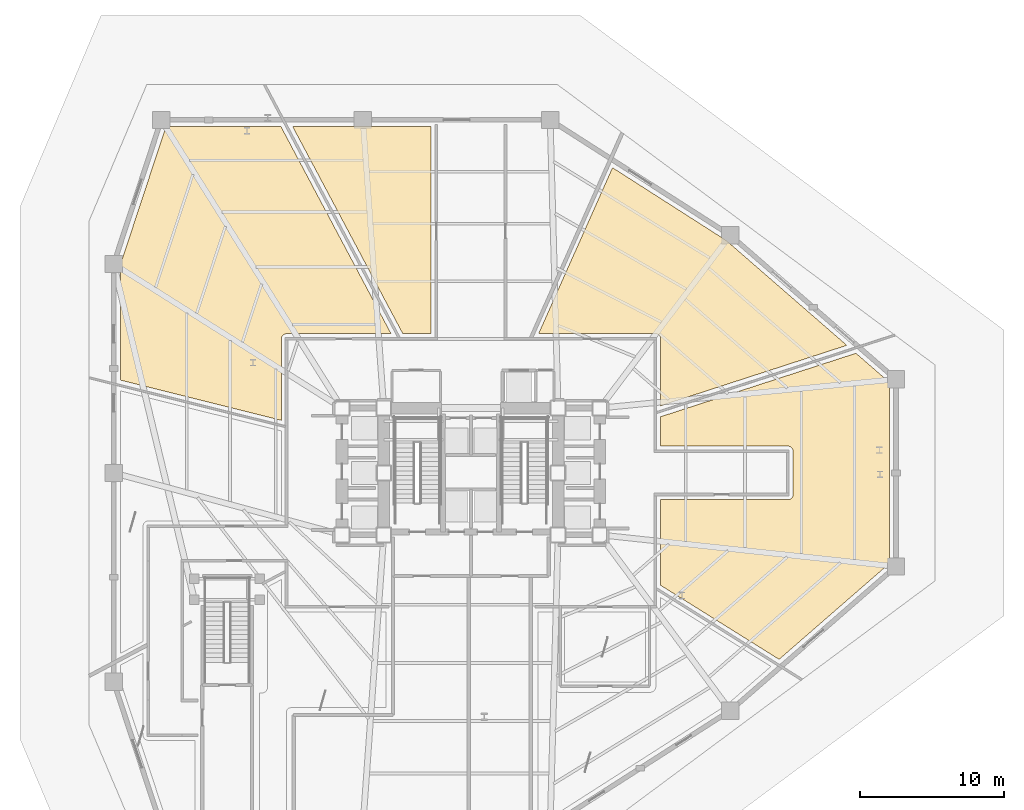
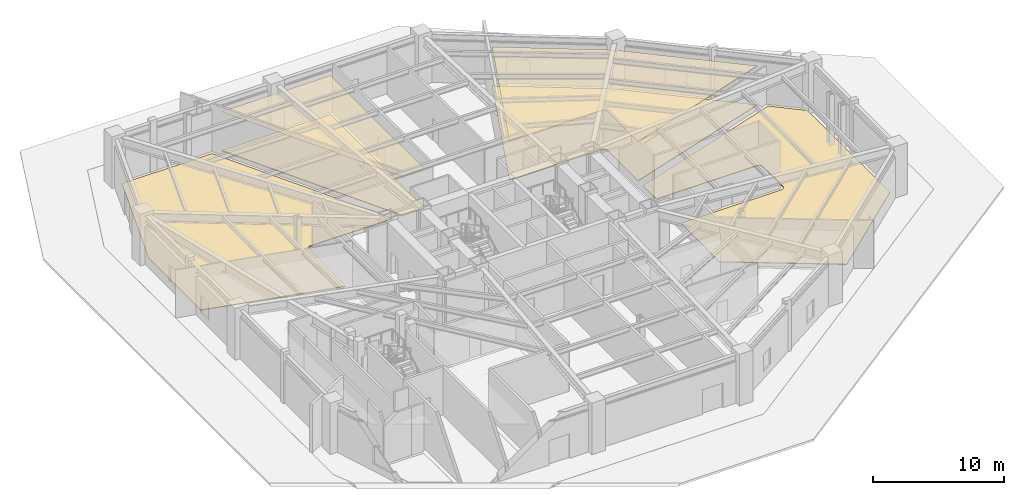
# One storey, part 9 of 10: 6 coverings.
"""IFC4 building model written with IfcOpenShell, lengths in metres."""

from ifc_helpers import new_model, si_unit, direction, frame, origin, place, context, subcontext, project, spatial, polyline, outline, extrude, material, layer, layer_set, type_object, element, save


model = new_model("IFC4")

# Units and contexts
model_context = context("Model", 3, precision=1e-05, world=origin(), true_north=direction((0.0, 1.0)))
body_context = subcontext(model_context, "Body", "Model", "MODEL_VIEW")
ifc_project = project(units=[si_unit("LENGTHUNIT", "METRE"), si_unit("AREAUNIT", "SQUARE_METRE"), si_unit("VOLUMEUNIT", "CUBIC_METRE"), si_unit("PLANEANGLEUNIT", "RADIAN"), si_unit("MASSUNIT", "GRAM", prefix="KILO")], contexts=[model_context])

# Site, building, storey
site_placement = place(None, origin())
site = spatial("IfcSite", under=ifc_project, at=site_placement, CompositionType="ELEMENT")
building_placement = place(site_placement, origin())
building = spatial("IfcBuilding", under=site, at=building_placement, Name="Rocaltana Carrier Exchange", CompositionType="ELEMENT")
storey_placement = place(building_placement, origin())
storey = spatial("IfcBuildingStorey", under=building, at=storey_placement, Name="L01", CompositionType="ELEMENT", Elevation=0.0)

# Coverings
ifc_material_1 = material(Name="Calcium Sulphate & Aluminium Pedestal", Category="aluminium")
ifc_layer_1 = layer(ifc_material_1, 0.06005859375)
ifc_layer_set_1 = layer_set([ifc_layer_1], Name="Calcium Sulphate & Aluminium Pedestal")
covering_type_1 = type_object("IfcCoveringType", Name="Anti-Static Raised Exchange Access Floor 60", PredefinedType="FLOORING", material=ifc_layer_set_1)
covering_1_placement = place(storey_placement, origin())
element("IfcCovering", 1, at=covering_1_placement, inside=storey, type_object=covering_type_1, Name="L01 Cloud Architecture Office Finish Floor", PredefinedType="FLOORING", context=body_context, shape_type="SweptSolid", body=[
    extrude(outline(polyline([(13.159912109375, -1.860107421875), (22.0, -1.860107421875), (22.013671875, -1.859619140625), (22.021484375, -1.859375), (22.048828125, -1.856689453125), (22.056640625, -1.85546875), (22.08349609375, -1.85009765625), (22.09130859375, -1.84814453125), (22.11767578125, -1.840087890625), (22.125, -1.83740234375), (22.150390625, -1.826904296875), (22.157470703125, -1.82373046875), (22.181640625, -1.810791015625), (22.1884765625, -1.806640625), (22.211181640625, -1.79150390625), (22.217529296875, -1.78662109375), (22.23876953125, -1.769287109375), (22.24462890625, -1.763916015625), (22.263916015625, -1.74462890625), (22.269287109375, -1.73876953125), (22.28662109375, -1.717529296875), (22.29150390625, -1.711181640625), (22.306640625, -1.6884765625), (22.310791015625, -1.681640625), (22.32373046875, -1.657470703125), (22.326904296875, -1.650390625), (22.33740234375, -1.625), (22.340087890625, -1.61767578125), (22.34814453125, -1.59130859375), (22.35009765625, -1.58349609375), (22.35546875, -1.556640625), (22.356689453125, -1.548828125), (22.359375, -1.521484375), (22.359619140625, -1.513671875), (22.360107421875, -1.5), (22.360107421875, 1.5), (22.359619140625, 1.513671875), (22.359375, 1.521484375), (22.356689453125, 1.548828125), (22.35546875, 1.556640625), (22.35009765625, 1.58349609375), (22.34814453125, 1.59130859375), (22.340087890625, 1.61767578125), (22.33740234375, 1.625), (22.326904296875, 1.650390625), (22.32373046875, 1.657470703125), (22.310791015625, 1.681640625), (22.306640625, 1.6884765625), (22.29150390625, 1.711181640625), (22.28662109375, 1.717529296875), (22.269287109375, 1.73876953125), (22.263916015625, 1.74462890625), (22.24462890625, 1.763916015625), (22.23876953125, 1.769287109375), (22.217529296875, 1.78662109375), (22.211181640625, 1.79150390625), (22.1884765625, 1.806640625), (22.181640625, 1.810791015625), (22.157470703125, 1.82373046875), (22.150390625, 1.826904296875), (22.125, 1.83740234375), (22.11767578125, 1.840087890625), (22.09130859375, 1.84814453125), (22.08349609375, 1.85009765625), (22.056640625, 1.85546875), (22.048828125, 1.856689453125), (22.021484375, 1.859375), (22.013671875, 1.859619140625), (22.0, 1.860107421875), (13.159912109375, 1.860107421875), (13.159912109375, 3.8974609375), (26.7236328125, 8.304443359375), (29.0400390625, 6.290283203125), (29.0400390625, -6.290283203125), (21.390869140625, -12.94189453125), (13.159912109375, -7.798828125), (13.159912109375, -1.860107421875)])), origin(), (0.0, 0.0, 1.0), 0.06005859375),
])
covering_2_placement = place(storey_placement, origin())
element("IfcCovering", 2, at=covering_2_placement, inside=storey, type_object=covering_type_1, Name="L01 Carrier Exchange Exhibition Hall Finish Floor", PredefinedType="FLOORING", context=body_context, shape_type="SweptSolid", body=[
    extrude(outline(polyline([(13.159912109375, 9.300048828125), (13.15966796875, 9.313720703125), (13.1591796875, 9.321533203125), (13.156494140625, 9.348876953125), (13.155517578125, 9.356689453125), (13.150146484375, 9.383544921875), (13.148193359375, 9.391357421875), (13.14013671875, 9.41748046875), (13.137451171875, 9.4248046875), (13.126953125, 9.4501953125), (13.123779296875, 9.45751953125), (13.110595703125, 9.481689453125), (13.106689453125, 9.48828125), (13.09130859375, 9.51123046875), (13.086669921875, 9.517578125), (13.0693359375, 9.538818359375), (13.06396484375, 9.544677734375), (13.044677734375, 9.56396484375), (13.038818359375, 9.5693359375), (13.017578125, 9.586669921875), (13.01123046875, 9.59130859375), (12.98828125, 9.606689453125), (12.981689453125, 9.610595703125), (12.95751953125, 9.623779296875), (12.9501953125, 9.626953125), (12.9248046875, 9.637451171875), (12.91748046875, 9.64013671875), (12.891357421875, 9.648193359375), (12.883544921875, 9.650146484375), (12.856689453125, 9.655517578125), (12.848876953125, 9.656494140625), (12.821533203125, 9.6591796875), (12.813720703125, 9.65966796875), (12.800048828125, 9.659912109375), (4.695068359375, 9.659912109375), (9.826416015625, 21.18505859375), (17.7236328125, 16.130615234375), (26.090087890625, 8.855712890625), (13.159912109375, 4.654541015625), (13.159912109375, 9.300048828125)])), origin(), (0.0, 0.0, 1.0), 0.06005859375),
])
covering_3_placement = place(storey_placement, origin())
element("IfcCovering", 3, at=covering_3_placement, inside=storey, type_object=covering_type_1, Name="L01 Data Exchange Hall Finish Floor", PredefinedType="FLOORING", context=body_context, shape_type="SweptSolid", body=[
    extrude(outline(polyline([(-4.728515625, 9.659912109375), (-12.37451171875, 24.0400390625), (-2.760009765625, 24.0400390625), (-2.760009765625, 9.659912109375), (-4.728515625, 9.659912109375)])), origin(), (0.0, 0.0, 1.0), 0.06005859375),
])
covering_4_placement = place(storey_placement, origin())
element("IfcCovering", 4, at=covering_4_placement, inside=storey, type_object=covering_type_1, Name="L01 Optical Switching Laboratory Finish Floor", PredefinedType="FLOORING", context=body_context, shape_type="SweptSolid", body=[
    extrude(outline(polyline([(-12.800048828125, 9.659912109375), (-12.813720703125, 9.65966796875), (-12.821533203125, 9.6591796875), (-12.848876953125, 9.656494140625), (-12.856689453125, 9.655517578125), (-12.883544921875, 9.650146484375), (-12.891357421875, 9.648193359375), (-12.91748046875, 9.64013671875), (-12.9248046875, 9.637451171875), (-12.9501953125, 9.626953125), (-12.95751953125, 9.623779296875), (-12.981689453125, 9.610595703125), (-12.98828125, 9.606689453125), (-13.01123046875, 9.59130859375), (-13.017578125, 9.586669921875), (-13.038818359375, 9.5693359375), (-13.044677734375, 9.56396484375), (-13.06396484375, 9.544677734375), (-13.0693359375, 9.538818359375), (-13.086669921875, 9.517578125), (-13.09130859375, 9.51123046875), (-13.106689453125, 9.48828125), (-13.110595703125, 9.481689453125), (-13.123779296875, 9.45751953125), (-13.126953125, 9.4501953125), (-13.137451171875, 9.4248046875), (-13.14013671875, 9.41748046875), (-13.148193359375, 9.391357421875), (-13.150146484375, 9.383544921875), (-13.155517578125, 9.356689453125), (-13.156494140625, 9.348876953125), (-13.1591796875, 9.321533203125), (-13.15966796875, 9.313720703125), (-13.159912109375, 9.300048828125), (-13.159912109375, 3.652099609375), (-24.340087890625, 6.439697265625), (-24.340087890625, 14.426025390625), (-21.16748046875, 24.0400390625), (-13.18994140625, 24.0400390625), (-5.5439453125, 9.659912109375), (-12.800048828125, 9.659912109375)])), origin(), (0.0, 0.0, 1.0), 0.06005859375),
])
ifc_material_2 = material(Name="Mineral Fibre & Powder-Coated Aluminium", Category="aluminium")
ifc_layer_2 = layer(ifc_material_2, 0.044921875)
ifc_layer_set_2 = layer_set([ifc_layer_2], Name="Mineral Fibre & Powder-Coated Aluminium")
covering_type_2 = type_object("IfcCoveringType", Name="Micro-Perforated Acoustic Ceiling 45", PredefinedType="CEILING", material=ifc_layer_set_2)
covering_5_placement = place(storey_placement, frame((0.0, 0.0, 3.64306640625)))
element("IfcCovering", 5, at=covering_5_placement, inside=storey, type_object=covering_type_2, Name="L01 Carrier Exchange Exhibition Hall Acoustic Ceiling", PredefinedType="CEILING", context=body_context, shape_type="SweptSolid", body=[
    extrude(outline(polyline([(13.159912109375, 9.300048828125), (13.15966796875, 9.313720703125), (13.1591796875, 9.321533203125), (13.156494140625, 9.348876953125), (13.155517578125, 9.356689453125), (13.150146484375, 9.383544921875), (13.148193359375, 9.391357421875), (13.14013671875, 9.41748046875), (13.137451171875, 9.4248046875), (13.126953125, 9.4501953125), (13.123779296875, 9.45751953125), (13.110595703125, 9.481689453125), (13.106689453125, 9.48828125), (13.09130859375, 9.51123046875), (13.086669921875, 9.517578125), (13.0693359375, 9.538818359375), (13.06396484375, 9.544677734375), (13.044677734375, 9.56396484375), (13.038818359375, 9.5693359375), (13.017578125, 9.586669921875), (13.01123046875, 9.59130859375), (12.98828125, 9.606689453125), (12.981689453125, 9.610595703125), (12.95751953125, 9.623779296875), (12.9501953125, 9.626953125), (12.9248046875, 9.637451171875), (12.91748046875, 9.64013671875), (12.891357421875, 9.648193359375), (12.883544921875, 9.650146484375), (12.856689453125, 9.655517578125), (12.848876953125, 9.656494140625), (12.821533203125, 9.6591796875), (12.813720703125, 9.65966796875), (12.800048828125, 9.659912109375), (4.695068359375, 9.659912109375), (9.826416015625, 21.18505859375), (17.7236328125, 16.130615234375), (26.090087890625, 8.855712890625), (13.159912109375, 4.654541015625), (13.159912109375, 9.300048828125)])), origin(), (0.0, 0.0, 1.0), 0.044921875),
])
covering_6_placement = place(storey_placement, frame((0.0, 0.0, 3.64306640625)))
element("IfcCovering", 6, at=covering_6_placement, inside=storey, type_object=covering_type_2, Name="L01 Data Exchange Hall Acoustic Ceiling", PredefinedType="CEILING", context=body_context, shape_type="SweptSolid", body=[
    extrude(outline(polyline([(-4.728515625, 9.659912109375), (-12.37451171875, 24.0400390625), (-2.760009765625, 24.0400390625), (-2.760009765625, 9.659912109375), (-4.728515625, 9.659912109375)])), origin(), (0.0, 0.0, 1.0), 0.044921875),
])

save(model, "model.ifc")
